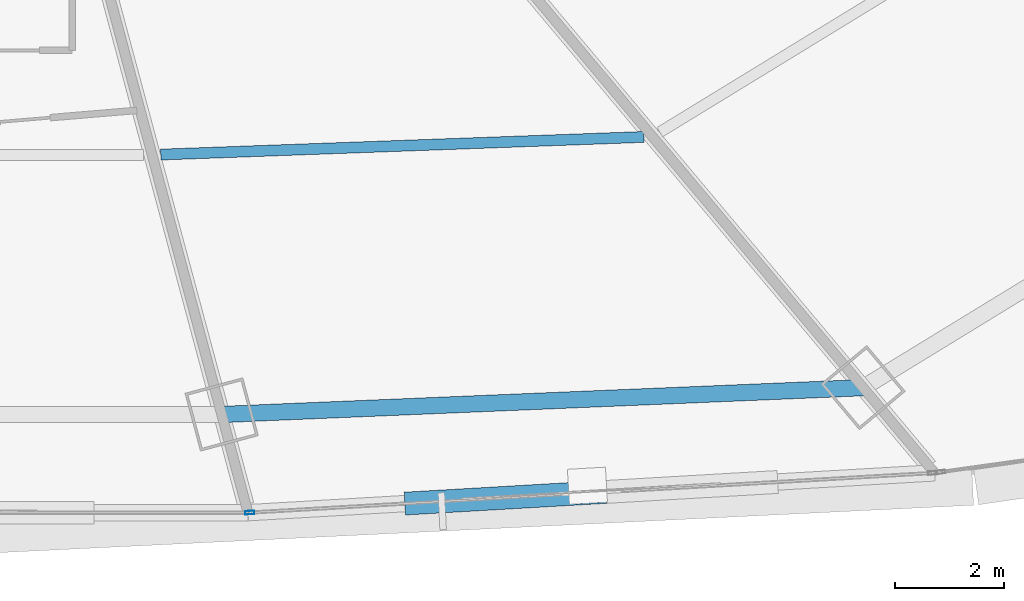
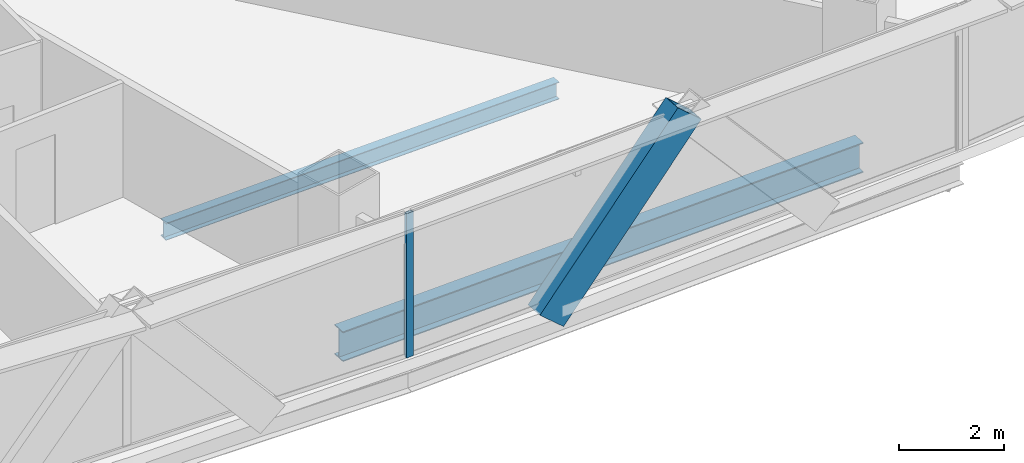
# One storey, part 10 of 38: 2 beams, 2 members, 1 element without a shape of its own.
"""IFC4 building model written with IfcOpenShell, lengths in metres."""

from ifc_helpers import new_model, si_unit, direction, frame, origin, origin_2d, place, context, subcontext, project, spatial, hollow_rectangle, i_section, extrude, source, transform, mapped, material, layer, layer_set, material_profile, profile_set, type_object, element, aggregate, save


model = new_model("IFC4")

# Units and contexts
model_context = context("Model", 3, precision=1e-05, world=origin(), true_north=direction((0.0, 1.0)))
body_context = subcontext(model_context, "Body", "Model", "MODEL_VIEW")
ifc_project = project(units=[si_unit("LENGTHUNIT", "METRE"), si_unit("AREAUNIT", "SQUARE_METRE"), si_unit("VOLUMEUNIT", "CUBIC_METRE"), si_unit("PLANEANGLEUNIT", "RADIAN"), si_unit("MASSUNIT", "GRAM", prefix="KILO"), si_unit("THERMODYNAMICTEMPERATUREUNIT", "KELVIN"), si_unit("POWERUNIT", "WATT")], contexts=[model_context])

# Site, building, storey
site_placement = place(None, origin())
site = spatial("IfcSite", under=ifc_project, at=site_placement, CompositionType="ELEMENT")
building_placement = place(site_placement, origin())
building = spatial("IfcBuilding", under=site, at=building_placement, Name="Yunzhuo Pagoda Commons", CompositionType="ELEMENT")
storey_placement = place(building_placement, frame((0.0, 0.0, 37.659912109375)))
storey = spatial("IfcBuildingStorey", under=building, at=storey_placement, Name="L09", CompositionType="ELEMENT", Elevation=37.659912109375)

# Beams
ifc_material_1 = material(Name="Structural steel Q355B", Category="steel")
ifc_material_profile_1 = material_profile(ifc_material_1, i_section(OverallWidth=0.300048828125, OverallDepth=0.699951171875, WebThickness=0.012939453125, FlangeThickness=0.02392578125, at=origin_2d()), Name="Structural steel Q355B")
ifc_profile_set_1 = profile_set([ifc_material_profile_1], Name="Structural steel Q355B")
beam_type_1 = type_object("IfcBeamType", Name="B-RG1 Beam HN 700x300x13x24", PredefinedType="BEAM", material=ifc_profile_set_1)
shared_shape_1 = source(origin(), body_context, "Body", "SweptSolid", [
    extrude(i_section(OverallWidth=0.300048828125, OverallDepth=0.699951171875, WebThickness=0.012939453125, FlangeThickness=0.02392578125, at=origin_2d()), origin(), (0.0, 0.0, 1.0), 11.7900390625),
])
beam_1_placement = place(storey_placement, frame((53.72021484375, 12.35205078125, -0.60986328125), z_axis=(0.99912739354, 0.041766631146, 0.0), x_axis=(-0.041766631146, 0.99912739354, 0.0)))
element("IfcBeam", 1, at=beam_1_placement, inside=storey, type_object=beam_type_1, Name="L09 column-ring beam 3", PredefinedType="BEAM", context=body_context, shape_type="MappedRepresentation", body=[
    mapped(shared_shape_1, transform((0.0, 0.0, 0.0), scale=1.0)),
])
ifc_material_profile_2 = material_profile(ifc_material_1, i_section(OverallWidth=0.199951171875, OverallDepth=0.39990234375, WebThickness=0.008056640625, FlangeThickness=0.012939453125, at=origin_2d()), Name="Structural steel Q355B")
ifc_profile_set_2 = profile_set([ifc_material_profile_2], Name="Structural steel Q355B")
beam_type_2 = type_object("IfcBeamType", Name="B-JS1 Joist HN 400x200x8x13", PredefinedType="JOIST", material=ifc_profile_set_2)
shared_shape_2 = source(origin(), body_context, "Body", "SweptSolid", [
    extrude(i_section(OverallWidth=0.199951171875, OverallDepth=0.39990234375, WebThickness=0.008056640625, FlangeThickness=0.012939453125, at=origin_2d()), origin(), (0.0, 0.0, 1.0), 8.876953125),
])
beam_2_placement = place(storey_placement, frame((52.601806640625, 17.125, -0.4599609375), z_axis=(0.999335806416, 0.036440993601, 0.0), x_axis=(-0.036440993601, 0.999335806416, 0.0)))
element("IfcBeam", 2, at=beam_2_placement, inside=storey, type_object=beam_type_2, Name="L09 composite ring joist 2.3", PredefinedType="JOIST", context=body_context, shape_type="MappedRepresentation", body=[
    mapped(shared_shape_2, transform((0.0, 0.0, 0.0), scale=1.0)),
])

# Member
ifc_material_2 = material(Name="Structural steel Q420B", Category="steel")
ifc_material_profile_3 = material_profile(ifc_material_2, hollow_rectangle(XDim=0.419921875, YDim=0.719970703125, WallThickness=0.028076171875, at=origin_2d()), Name="Structural steel Q420B")
ifc_profile_set_3 = profile_set([ifc_material_profile_3], Name="Structural steel Q420B")
member_type_1 = type_object("IfcMemberType", Name="M-DL1 Brace BOX 720x420x28", PredefinedType="BRACE", material=ifc_profile_set_3)
shared_shape_3 = source(origin(), body_context, "Body", "SweptSolid", [
    extrude(hollow_rectangle(XDim=0.419921875, YDim=0.719970703125, WallThickness=0.028076171875, at=origin_2d()), origin(), (0.0, 0.0, 1.0), 4.811279296875),
])
member_1_placement = place(storey_placement, frame((57.35595703125, 10.73095703125, -0.260009765625), z_axis=(0.655196925234, 0.038006698962, 0.754501477797), x_axis=(-0.05791070349, 0.998321766978, 0.0)))
element("IfcMember", 3, at=member_1_placement, inside=storey, type_object=member_type_1, Name="L09 facade diamond brace F1.3L", PredefinedType="BRACE", context=body_context, shape_type="MappedRepresentation", body=[
    mapped(shared_shape_3, transform((0.0, 0.0, 0.0), scale=1.0)),
])

# Curtain wall, member
ifc_material_3 = material(Name="Anodized aluminium 6063-T6", Category="aluminium")
ifc_layer = layer(ifc_material_3, 0.1650390625)
ifc_layer_set = layer_set([ifc_layer], Name="Anodized aluminium 6063-T6")
curtain_wall_type = type_object("IfcCurtainWallType", Name="CW-LOW Low-Zone Ribbon Curtain Wall", PredefinedType="NOTDEFINED", material=ifc_layer_set)
curtain_wall_placement = place(storey_placement, origin())
curtain_wall = element("IfcCurtainWall", 4, at=curtain_wall_placement, inside=storey, type_object=curtain_wall_type, Name="L09 curtain wall CW-L09-F1B4", PredefinedType="NOTDEFINED")
ifc_material_profile_4 = material_profile(ifc_material_3, hollow_rectangle(XDim=0.06494140625, YDim=0.1650390625, WallThickness=0.00390625, at=origin_2d()), Name="Anodized aluminium 6063-T6")
ifc_profile_set_4 = profile_set([ifc_material_profile_4], Name="Anodized aluminium 6063-T6")
member_type_2 = type_object("IfcMemberType", Name="CW-LOW-M Mullion RHS 165x65x4", PredefinedType="MULLION", material=ifc_profile_set_4)
shared_shape_4 = source(origin(), body_context, "Body", "SweptSolid", [
    extrude(hollow_rectangle(XDim=0.06494140625, YDim=0.1650390625, WallThickness=0.00390625, at=origin_2d()), origin(), (0.0, 0.0, 1.0), 3.3701171875),
])
member_2_placement = place(storey_placement, frame((54.23583984375, 10.550048828125, 0.0), z_axis=(0.0, 0.0, 1.0), x_axis=(-0.05789866519, 0.998322465223, 0.0)))
member_2 = element("IfcMember", 5, at=member_2_placement, type_object=member_type_2, Name="CW mullion 1", PredefinedType="MULLION", context=body_context, shape_type="MappedRepresentation", body=[
    mapped(shared_shape_4, transform((0.0, 0.0, 0.0), scale=1.0)),
])
aggregate(curtain_wall, [member_2])

save(model, "model.ifc")
